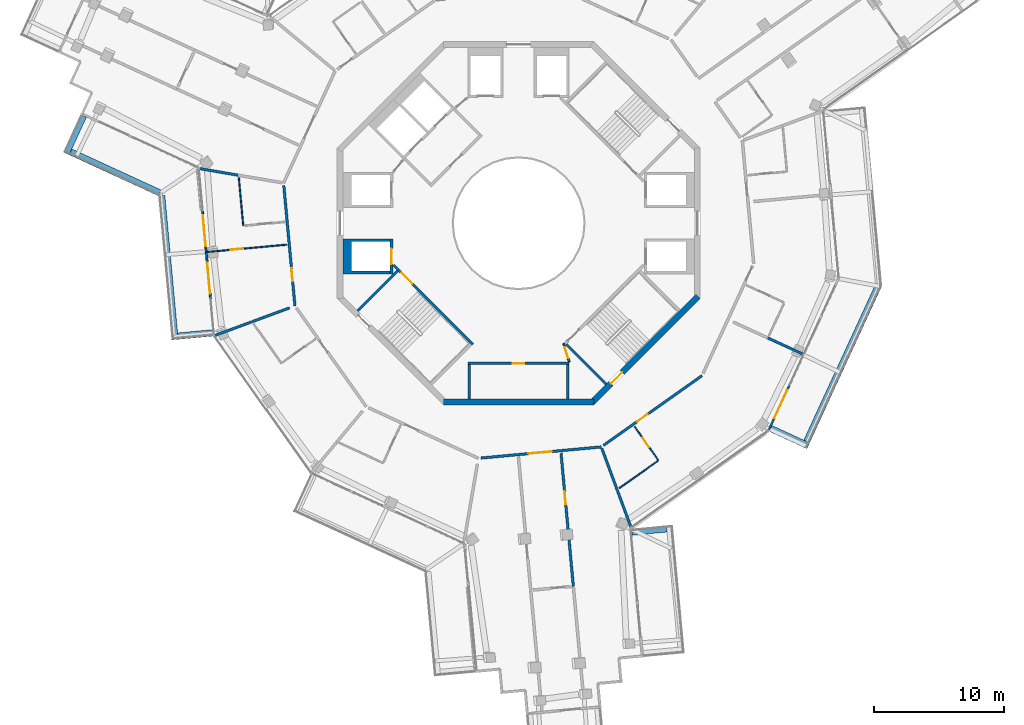
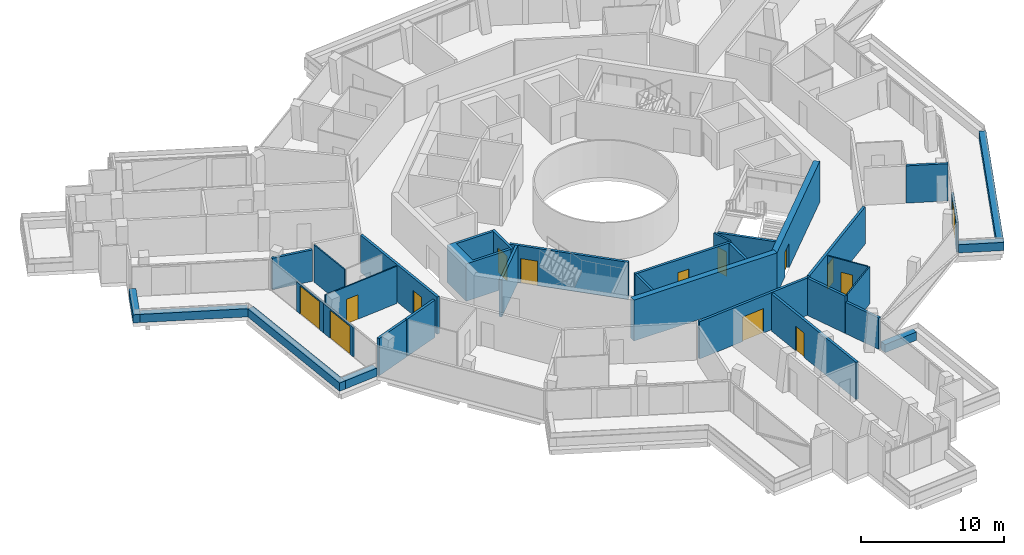
# One storey, part 18 of 25: 35 walls, 14 doors, 14 openings.
"""IFC4 building model written with IfcOpenShell, lengths in metres."""

from ifc_helpers import new_model, si_unit, direction, frame, frame_2d, origin, place, context, subcontext, project, spatial, polyline, rectangle, outline, extrude, material, layer, layer_set, type_object, element, fill, save


model = new_model("IFC4")

# Units and contexts
model_context = context("Model", 3, precision=1e-05, world=origin(), true_north=direction((0.0, 1.0)))
body_context = subcontext(model_context, "Body", "Model", "MODEL_VIEW")
ifc_project = project(units=[si_unit("LENGTHUNIT", "METRE"), si_unit("AREAUNIT", "SQUARE_METRE"), si_unit("VOLUMEUNIT", "CUBIC_METRE"), si_unit("PLANEANGLEUNIT", "RADIAN"), si_unit("MASSUNIT", "GRAM", prefix="KILO")], contexts=[model_context])

# Site, building, storey
site_placement = place(None, origin())
site = spatial("IfcSite", under=ifc_project, at=site_placement, CompositionType="ELEMENT")
building_placement = place(site_placement, origin())
building = spatial("IfcBuilding", under=site, at=building_placement, Name="Verdalira Terraces Hotel", CompositionType="ELEMENT")
storey_placement = place(building_placement, frame((0.0, 0.0, 299.5)))
storey = spatial("IfcBuildingStorey", under=building, at=storey_placement, Name="L74", CompositionType="ELEMENT", Elevation=299.5)

# Walls
ifc_material_1 = material(Name="Concrete C40", Category="concrete")
ifc_layer_1 = layer(ifc_material_1, 0.5)
ifc_layer_set_1 = layer_set([ifc_layer_1], Name="Balcony planter trough with tree")
wall_type_1 = type_object("IfcWallType", Name="Balcony planter trough with tree", PredefinedType="SOLIDWALL", material=ifc_layer_set_1)
wall_1_placement = place(storey_placement, frame((-33.542725, 8.2854, 0.0), z_axis=(0.0, 0.0, 1.0), x_axis=(-0.41819658, -0.908356549, 0.0)))
element("IfcWall", 1, at=wall_1_placement, inside=storey, type_object=wall_type_1, Name="Balcony planter", PredefinedType="SOLIDWALL", context=body_context, shape_type="SweptSolid", body=[
    extrude(rectangle(XDim=3.199219, YDim=0.5, at=frame_2d((1.599609, 0.0))), origin(), (0.0, 0.0, 1.0), 0.699951),
])
wall_2_placement = place(storey_placement, frame((-34.548828, 5.501953, 0.0), z_axis=(0.0, 0.0, 1.0), x_axis=(0.908358791, -0.418191711, 0.0)))
element("IfcWall", 2, at=wall_2_placement, inside=storey, type_object=wall_type_1, Name="Balcony planter", PredefinedType="SOLIDWALL", context=body_context, shape_type="SweptSolid", body=[
    extrude(rectangle(XDim=7.577637, YDim=0.5, at=frame_2d((3.788818, 0.0))), origin(), (0.0, 0.0, 1.0), 0.699951),
])
wall_3_placement = place(storey_placement, frame((-27.520996, 2.128906, 0.0), z_axis=(0.0, 0.0, 1.0), x_axis=(0.092029795, -0.995756254, 0.0)))
element("IfcWall", 3, at=wall_3_placement, inside=storey, type_object=wall_type_1, Name="Balcony planter", PredefinedType="SOLIDWALL", context=body_context, shape_type="SweptSolid", body=[
    extrude(rectangle(XDim=11.152588, YDim=0.5, at=frame_2d((5.576172, 0.0))), origin(), (0.0, 0.0, 1.0), 0.699951),
])
for number, where, z_axis, x_axis, name in (
    (4, (-26.268799, -8.704346, 0.0), (0.0, 0.0, 1.0), (0.995751125, 0.092085269, 0.0), "Balcony planter"),
    (5, (11.41626, -23.557617, 0.0), (0.0, 0.0, 1.0), (-0.995751125, -0.092085269, 0.0), "Balcony planter"),
):
    element("IfcWall", number, at=place(storey_placement, frame(where, z_axis=z_axis, x_axis=x_axis)), inside=storey, type_object=wall_type_1, Name=name, PredefinedType="SOLIDWALL", context=body_context, shape_type="SweptSolid", body=[
        extrude(rectangle(XDim=2.698975, YDim=0.5, at=frame_2d((1.349609, 0.0))), origin(), (0.0, 0.0, 1.0), 0.699951),
    ])
wall_4_placement = place(storey_placement, frame((19.422607, -15.822021, 0.0), z_axis=(0.0, 0.0, 1.0), x_axis=(0.908343202, -0.418225571, 0.0)))
element("IfcWall", 6, at=wall_4_placement, inside=storey, type_object=wall_type_1, Name="Balcony planter", PredefinedType="SOLIDWALL", context=body_context, shape_type="SweptSolid", body=[
    extrude(rectangle(XDim=3.198975, YDim=0.5, at=frame_2d((1.599609, 0.0))), origin(), (0.0, 0.0, 1.0), 0.699951),
])
wall_5_placement = place(storey_placement, frame((22.205811, -16.828369, 0.0), z_axis=(0.0, 0.0, 1.0), x_axis=(0.418195112, 0.908357225, 0.0)))
element("IfcWall", 7, at=wall_5_placement, inside=storey, type_object=wall_type_1, Name="Balcony planter", PredefinedType="SOLIDWALL", context=body_context, shape_type="SweptSolid", body=[
    extrude(rectangle(XDim=13.223633, YDim=0.5, at=frame_2d((6.611816, 0.0))), origin(), (0.0, 0.0, 1.0), 0.699951),
])
ifc_material_2 = material(Name="Moisture-resistant gypsum board partition")
ifc_layer_2 = layer(ifc_material_2, 0.10009765625)
ifc_layer_set_2 = layer_set([ifc_layer_2], Name="Bathroom partition 100 mm")
wall_type_2 = type_object("IfcWallType", Name="Bathroom partition 100 mm", PredefinedType="PARTITIONING", material=ifc_layer_set_2)
wall_6_placement = place(storey_placement, frame((-21.571289, 3.492188, 0.0), z_axis=(0.0, 0.0, 1.0), x_axis=(0.092009423, -0.995758136, 0.0)))
element("IfcWall", 8, at=wall_6_placement, inside=storey, type_object=wall_type_2, Name="Bathroom partition", PredefinedType="PARTITIONING", context=body_context, shape_type="SweptSolid", body=[
    extrude(rectangle(XDim=3.704102, YDim=0.100098, at=frame_2d((1.852051, 0.0))), origin(), (0.0, 0.0, 1.0), 3.189941),
])

# Wall, opening, door
wall_7_placement = place(storey_placement, frame((-24.006104, -2.218506, 0.0), z_axis=(0.0, 0.0, 1.0), x_axis=(0.995757395, 0.092017447, 0.0)))
wall_7 = element("IfcWall", 9, at=wall_7_placement, inside=storey, type_object=wall_type_2, Name="Bathroom partition", PredefinedType="PARTITIONING", context=body_context, shape_type="SweptSolid", body=[
    extrude(rectangle(XDim=6.150146, YDim=0.100098, at=frame_2d((3.075195, 0.0))), origin(), (0.0, 0.0, 1.0), 3.189941),
])
opening_1_placement = place(wall_7_placement, frame((1.800049, 0.0, 0.0)))
opening_1 = element("IfcOpeningElement", 10, at=opening_1_placement, cuts=wall_7, Name="Opening L74-106", PredefinedType="OPENING", context=body_context, shape_type="SweptSolid", body=[
    extrude(rectangle(XDim=1.0, YDim=2.100098, at=frame_2d((0.5, 1.050049))), frame((0.0, 0.060059, 0.0), z_axis=(0.0, -1.0, 0.0), x_axis=(1.0, 0.0, 0.0)), (0.0, 0.0, 1.0), 0.120117),
])
ifc_material_3 = material(Name="Timber door", Category="wood")
door_type_1 = type_object("IfcDoorType", Name="Suite internal door 1000 x 2100", OperationType="NOTDEFINED", PredefinedType="DOOR", material=ifc_material_3)
door_1_placement = place(opening_1_placement, origin())
door_1 = element("IfcDoor", 11, at=door_1_placement, inside=storey, type_object=door_type_1, Name="Suite internal door 7402", OperationType="SINGLE_SWING_LEFT", OverallHeight=2.10009765625, OverallWidth=1.0, PredefinedType="DOOR", context=body_context, shape_type="SweptSolid", body=[
    extrude(rectangle(XDim=1.0, YDim=2.100098, at=frame_2d((0.5, 1.050049))), frame((0.0, 0.024902, 0.0), z_axis=(0.0, -1.0, 0.0), x_axis=(1.0, 0.0, 0.0)), (0.0, 0.0, 1.0), 0.050049),
])
fill(opening_1, door_1)

# Wall
wall_8_placement = place(storey_placement, frame((10.785156, -18.287842, 0.0), z_axis=(0.0, 0.0, 1.0), x_axis=(-0.816326196, -0.577591155, 0.0)))
element("IfcWall", 12, at=wall_8_placement, inside=storey, type_object=wall_type_2, Name="Bathroom partition", PredefinedType="PARTITIONING", context=body_context, shape_type="SweptSolid", body=[
    extrude(rectangle(XDim=3.704102, YDim=0.100098, at=frame_2d((1.852051, 0.0))), origin(), (0.0, 0.0, 1.0), 3.189941),
])

# Wall, opening, door
wall_9_placement = place(storey_placement, frame((10.727295, -18.206299, 0.0), z_axis=(0.0, 0.0, 1.0), x_axis=(-0.57760427, 0.816316916, 0.0)))
wall_9 = element("IfcWall", 13, at=wall_9_placement, inside=storey, type_object=wall_type_2, Name="Bathroom partition", PredefinedType="PARTITIONING", context=body_context, shape_type="SweptSolid", body=[
    extrude(rectangle(XDim=3.099854, YDim=0.100098, at=frame_2d((1.549805, 0.0))), origin(), (0.0, 0.0, 1.0), 3.189941),
])
opening_2_placement = place(wall_9_placement, frame((1.149902, 0.0, 0.0)))
opening_2 = element("IfcOpeningElement", 14, at=opening_2_placement, cuts=wall_9, Name="Opening L74-117", PredefinedType="OPENING", context=body_context, shape_type="SweptSolid", body=[
    extrude(rectangle(XDim=0.899902, YDim=2.100098, at=frame_2d((0.449951, 1.050049))), frame((0.0, 0.060059, 0.0), z_axis=(0.0, -1.0, 0.0), x_axis=(1.0, 0.0, 0.0)), (0.0, 0.0, 1.0), 0.120117),
])
ifc_material_4 = material(Name="Timber door", Category="wood")
door_type_2 = type_object("IfcDoorType", Name="Bathroom door 900 x 2100", OperationType="NOTDEFINED", PredefinedType="DOOR", material=ifc_material_4)
door_2_placement = place(opening_2_placement, origin())
door_2 = element("IfcDoor", 15, at=door_2_placement, inside=storey, type_object=door_type_2, Name="Bathroom door 7406", OperationType="SINGLE_SWING_LEFT", OverallHeight=2.10009765625, OverallWidth=0.89990234375, PredefinedType="DOOR", context=body_context, shape_type="SweptSolid", body=[
    extrude(rectangle(XDim=0.899902, YDim=2.100098, at=frame_2d((0.449951, 1.050049))), frame((0.0, 0.024902, 0.0), z_axis=(0.0, -1.0, 0.0), x_axis=(1.0, 0.0, 0.0)), (0.0, 0.0, 1.0), 0.050049),
])
fill(opening_2, door_2)

# Wall
ifc_material_5 = material(Name="Concrete C50", Category="concrete")
ifc_layer_3 = layer(ifc_material_5, 0.199951171875)
ifc_layer_set_3 = layer_set([ifc_layer_3], Name="Core RC wall 200 C50")
wall_type_3 = type_object("IfcWallType", Name="Core RC wall 200 C50", PredefinedType="SOLIDWALL", material=ifc_layer_set_3)
wall_10_placement = place(storey_placement, origin())
element("IfcWall", 16, at=wall_10_placement, inside=storey, type_object=wall_type_3, Name="L74 shaft wall W2", PredefinedType="SOLIDWALL", context=body_context, shape_type="SweptSolid", body=[
    extrude(outline(polyline([(-13.550049, -3.899902), (-13.550049, -1.199951), (-9.899902, -1.199951), (-9.899902, -1.399902), (-12.899902, -1.399902), (-12.899902, -3.699951), (-9.899902, -3.699951), (-9.899902, -3.899902), (-13.550049, -3.899902)])), origin(), (0.0, 0.0, 1.0), 3.189941),
])

# Wall, opening, door
wall_11_placement = place(storey_placement, frame((-9.800049, -1.199951, 0.0), z_axis=(0.0, 0.0, 1.0), x_axis=(0.0, -1.0, 0.0)))
wall_11 = element("IfcWall", 17, at=wall_11_placement, inside=storey, type_object=wall_type_3, Name="L74 shaft front wall W2", PredefinedType="SOLIDWALL", context=body_context, shape_type="SweptSolid", body=[
    extrude(rectangle(XDim=2.699951, YDim=0.199951, at=frame_2d((1.350098, 0.0))), origin(), (0.0, 0.0, 1.0), 3.189941),
])
opening_3_placement = place(wall_11_placement, frame((0.75, 0.0, 0.0)))
opening_3 = element("IfcOpeningElement", 18, at=opening_3_placement, cuts=wall_11, Name="Opening LD-L74-807", PredefinedType="OPENING", context=body_context, shape_type="SweptSolid", body=[
    extrude(rectangle(XDim=1.199951, YDim=2.100098, at=frame_2d((0.600098, 1.050049))), frame((0.0, 0.109863, 0.0), z_axis=(0.0, -1.0, 0.0), x_axis=(1.0, 0.0, 0.0)), (0.0, 0.0, 1.0), 0.219971),
])
ifc_material_6 = material(Name="Stainless steel", Category="steel")
door_type_3 = type_object("IfcDoorType", Name="Landing door 1200 x 2100", OperationType="NOTDEFINED", PredefinedType="DOOR", material=ifc_material_6)
door_3_placement = place(opening_3_placement, origin())
door_3 = element("IfcDoor", 19, at=door_3_placement, inside=storey, type_object=door_type_3, Name="Lift landing door HR6 L74", OperationType="DOUBLE_DOOR_SLIDING", OverallHeight=2.10009765625, OverallWidth=1.199951171875, PredefinedType="DOOR", context=body_context, shape_type="SweptSolid", body=[
    extrude(rectangle(XDim=1.199951, YDim=2.100098, at=frame_2d((0.600098, 1.050049))), frame((0.0, 0.024902, 0.0), z_axis=(0.0, -1.0, 0.0), x_axis=(1.0, 0.0, 0.0)), (0.0, 0.0, 1.0), 0.050049),
])
fill(opening_3, door_3)

wall_12_placement = place(storey_placement, frame((-3.899902, -10.800049, 0.0), z_axis=(0.0, 0.0, 1.0), x_axis=(1.0, 0.0, 0.0)))
wall_12 = element("IfcWall", 20, at=wall_12_placement, inside=storey, type_object=wall_type_3, Name="L74 store front wall", PredefinedType="SOLIDWALL", context=body_context, shape_type="SweptSolid", body=[
    extrude(rectangle(XDim=7.799805, YDim=0.199951, at=frame_2d((3.899902, 0.0))), origin(), (0.0, 0.0, 1.0), 3.189941),
])
opening_4_placement = place(wall_12_placement, frame((3.449951, 0.0, 0.0)))
opening_4 = element("IfcOpeningElement", 21, at=opening_4_placement, cuts=wall_12, Name="Opening L74-801", PredefinedType="OPENING", context=body_context, shape_type="SweptSolid", body=[
    extrude(rectangle(XDim=0.899902, YDim=2.100098, at=frame_2d((0.449951, 1.050049))), frame((0.0, 0.109863, 0.0), z_axis=(0.0, -1.0, 0.0), x_axis=(1.0, 0.0, 0.0)), (0.0, 0.0, 1.0), 0.219971),
])
ifc_material_7 = material(Name="Steel fire door", Category="steel")
door_type_4 = type_object("IfcDoorType", Name="Core room door 900 x 2100", OperationType="NOTDEFINED", PredefinedType="DOOR", material=ifc_material_7)
door_4_placement = place(opening_4_placement, origin())
door_4 = element("IfcDoor", 22, at=door_4_placement, inside=storey, type_object=door_type_4, Name="Store door L74 SS", OperationType="SINGLE_SWING_LEFT", OverallHeight=2.10009765625, OverallWidth=0.89990234375, PredefinedType="DOOR", context=body_context, shape_type="SweptSolid", body=[
    extrude(rectangle(XDim=0.899902, YDim=2.100098, at=frame_2d((0.449951, 1.050049))), frame((0.0, 0.024902, 0.0), z_axis=(0.0, -1.0, 0.0), x_axis=(1.0, 0.0, 0.0)), (0.0, 0.0, 1.0), 0.050049),
])
fill(opening_4, door_4)

# Walls
for number, where, z_axis, x_axis, name in (
    (23, (-3.800049, -10.899902, 0.0), (0.0, 0.0, 1.0), (0.0, -1.0, 0.0), "L74 store side wall"),
    (24, (3.800049, -10.899902, 0.0), (0.0, 0.0, 1.0), (0.0, -1.0, 0.0), "L74 store side wall"),
):
    element("IfcWall", number, at=place(storey_placement, frame(where, z_axis=z_axis, x_axis=x_axis)), inside=storey, type_object=wall_type_3, Name=name, PredefinedType="SOLIDWALL", context=body_context, shape_type="SweptSolid", body=[
        extrude(rectangle(XDim=2.650146, YDim=0.199951, at=frame_2d((1.325195, 0.0))), origin(), (0.0, 0.0, 1.0), 3.189941),
    ])

# Wall, opening, door
wall_13_placement = place(storey_placement, frame((-3.5354, -9.33374, 0.0), z_axis=(0.0, 0.0, 1.0), x_axis=(-0.707120946, 0.707092617, 0.0)))
wall_13 = element("IfcWall", 25, at=wall_13_placement, inside=storey, type_object=wall_type_3, Name="L74 stair ST2 front wall", PredefinedType="SOLIDWALL", context=body_context, shape_type="SweptSolid", body=[
    extrude(rectangle(XDim=8.61792, YDim=0.199951, at=frame_2d((4.309082, 0.0))), origin(), (0.0, 0.0, 1.0), 3.189941),
])
opening_5_placement = place(wall_13_placement, frame((6.600098, 0.0, 0.0)))
opening_5 = element("IfcOpeningElement", 26, at=opening_5_placement, cuts=wall_13, Name="Opening L74-811", PredefinedType="OPENING", context=body_context, shape_type="SweptSolid", body=[
    extrude(rectangle(XDim=1.199951, YDim=2.100098, at=frame_2d((0.600098, 1.050049))), frame((0.0, 0.109863, 0.0), z_axis=(0.0, -1.0, 0.0), x_axis=(1.0, 0.0, 0.0)), (0.0, 0.0, 1.0), 0.219971),
])
ifc_material_8 = material(Name="Steel fire door", Category="steel")
door_type_5 = type_object("IfcDoorType", Name="Stair door 1200 x 2100", OperationType="NOTDEFINED", PredefinedType="DOOR", material=ifc_material_8)
door_5_placement = place(opening_5_placement, origin())
door_5 = element("IfcDoor", 27, at=door_5_placement, inside=storey, type_object=door_type_5, Name="Stair door ST2 L74", OperationType="SINGLE_SWING_RIGHT", OverallHeight=2.10009765625, OverallWidth=1.199951171875, PredefinedType="DOOR", context=body_context, shape_type="SweptSolid", body=[
    extrude(rectangle(XDim=1.199951, YDim=2.100098, at=frame_2d((0.600098, 1.050049))), frame((0.0, 0.024902, 0.0), z_axis=(0.0, -1.0, 0.0), x_axis=(1.0, 0.0, 0.0)), (0.0, 0.0, 1.0), 0.050049),
])
fill(opening_5, door_5)

# Walls
for number, where, z_axis, x_axis, name in (
    (28, (-9.33374, -3.677002, 0.0), (0.0, 0.0, 1.0), (-0.707106781, -0.707106781, 0.0), "L74 stair ST2 end wall 1"),
    (29, (3.677002, -9.33374, 0.0), (0.0, 0.0, 1.0), (0.707106781, -0.707106781, 0.0), "L74 stair ST3 end wall 1"),
):
    element("IfcWall", number, at=place(storey_placement, frame(where, z_axis=z_axis, x_axis=x_axis)), inside=storey, type_object=wall_type_3, Name=name, PredefinedType="SOLIDWALL", context=body_context, shape_type="SweptSolid", body=[
        extrude(rectangle(XDim=4.350098, YDim=0.199951, at=frame_2d((2.175049, 0.0))), origin(), (0.0, 0.0, 1.0), 3.189941),
    ])

# Wall, opening, door
ifc_material_9 = material(Name="Gypsum board partition")
ifc_layer_4 = layer(ifc_material_9, 0.14990234375)
ifc_layer_set_4 = layer_set([ifc_layer_4], Name="Core partition 150 mm")
wall_type_4 = type_object("IfcWallType", Name="Core partition 150 mm", PredefinedType="PARTITIONING", material=ifc_layer_set_4)
wall_14_placement = place(storey_placement, frame((3.899902, -10.699951, 0.0), z_axis=(0.0, 0.0, 1.0), x_axis=(-0.289808785, 0.957084567, 0.0)))
wall_14 = element("IfcWall", 30, at=wall_14_placement, inside=storey, type_object=wall_type_4, Name="Room partition L74", PredefinedType="PARTITIONING", context=body_context, shape_type="SweptSolid", body=[
    extrude(rectangle(XDim=1.501221, YDim=0.149902, at=frame_2d((0.750488, 0.0))), origin(), (0.0, 0.0, 1.0), 3.189941),
])
opening_6_placement = place(wall_14_placement, frame((0.300781, 0.0, 0.0)))
opening_6 = element("IfcOpeningElement", 31, at=opening_6_placement, cuts=wall_14, Name="Opening L74-822", PredefinedType="OPENING", context=body_context, shape_type="SweptSolid", body=[
    extrude(rectangle(XDim=0.899902, YDim=2.100098, at=frame_2d((0.449951, 1.050049))), frame((0.0, 0.084961, 0.0), z_axis=(0.0, -1.0, 0.0), x_axis=(1.0, 0.0, 0.0)), (0.0, 0.0, 1.0), 0.169922),
])
door_6_placement = place(opening_6_placement, origin())
door_6 = element("IfcDoor", 32, at=door_6_placement, inside=storey, type_object=door_type_4, Name="Door L74 room6", OperationType="SINGLE_SWING_LEFT", OverallHeight=2.10009765625, OverallWidth=0.89990234375, PredefinedType="DOOR", context=body_context, shape_type="SweptSolid", body=[
    extrude(rectangle(XDim=0.899902, YDim=2.100098, at=frame_2d((0.449951, 1.050049))), frame((0.0, 0.024902, 0.0), z_axis=(0.0, -1.0, 0.0), x_axis=(1.0, 0.0, 0.0)), (0.0, 0.0, 1.0), 0.050049),
])
fill(opening_6, door_6)

# Wall
ifc_material_10 = material(Name="Concrete C50", Category="concrete")
ifc_layer_5 = layer(ifc_material_10, 0.449951171875)
ifc_layer_set_5 = layer_set([ifc_layer_5], Name="Core wall 450 C50")
wall_type_5 = type_object("IfcWallType", Name="Core wall 450 C50", PredefinedType="SHEAR", material=ifc_layer_set_5)
wall_15_placement = place(storey_placement, frame((-5.799072, -13.774902, 0.0), z_axis=(0.0, 0.0, 1.0), x_axis=(1.0, 0.0, 0.0)))
element("IfcWall", 33, at=wall_15_placement, inside=storey, type_object=wall_type_5, Name="Core wall CW-L74-7", PredefinedType="SHEAR", context=body_context, shape_type="SweptSolid", body=[
    extrude(rectangle(XDim=11.598145, YDim=0.449951, at=frame_2d((5.799072, 0.0))), origin(), (0.0, 0.0, 1.0), 3.5),
])

# Wall, opening, door
wall_16_placement = place(storey_placement, frame((5.639893, -13.84082, 0.0), z_axis=(0.0, 0.0, 1.0), x_axis=(0.707106781, 0.707106781, 0.0)))
wall_16 = element("IfcWall", 34, at=wall_16_placement, inside=storey, type_object=wall_type_5, Name="Core wall CW-L74-8", PredefinedType="SHEAR", context=body_context, shape_type="SweptSolid", body=[
    extrude(rectangle(XDim=11.5979, YDim=0.449951, at=frame_2d((5.798828, 0.0))), origin(), (0.0, 0.0, 1.0), 3.5),
])
opening_7_placement = place(wall_16_placement, frame((2.099121, 0.0, 0.0)))
opening_7 = element("IfcOpeningElement", 35, at=opening_7_placement, cuts=wall_16, Name="Opening L74-818", PredefinedType="OPENING", context=body_context, shape_type="SweptSolid", body=[
    extrude(rectangle(XDim=1.199951, YDim=2.100098, at=frame_2d((0.600098, 1.050049))), frame((0.0, 0.234863, 0.0), z_axis=(0.0, -1.0, 0.0), x_axis=(1.0, 0.0, 0.0)), (0.0, 0.0, 1.0), 0.469971),
])
door_7_placement = place(opening_7_placement, origin())
door_7 = element("IfcDoor", 36, at=door_7_placement, inside=storey, type_object=door_type_5, Name="Stair exit door ST3 L74", OperationType="SINGLE_SWING_LEFT", OverallHeight=2.10009765625, OverallWidth=1.199951171875, PredefinedType="DOOR", context=body_context, shape_type="SweptSolid", body=[
    extrude(rectangle(XDim=1.199951, YDim=2.100098, at=frame_2d((0.600098, 1.050049))), frame((0.0, 0.024902, 0.0), z_axis=(0.0, -1.0, 0.0), x_axis=(1.0, 0.0, 0.0)), (0.0, 0.0, 1.0), 0.050049),
])
fill(opening_7, door_7)

# Walls
ifc_material_11 = material(Name="Fire-rated gypsum board wall")
ifc_layer_6 = layer(ifc_material_11, 0.199951171875)
ifc_layer_set_6 = layer_set([ifc_layer_6], Name="Demising wall 200 mm")
wall_type_6 = type_object("IfcWallType", Name="Demising wall 200 mm", PredefinedType="SOLIDWALL", material=ifc_layer_set_6)
wall_17_placement = place(storey_placement, frame((-20.591797, -7.608887, 0.0), z_axis=(0.0, 0.0, 1.0), x_axis=(-0.93799106, -0.346659445, 0.0)))
element("IfcWall", 37, at=wall_17_placement, inside=storey, type_object=wall_type_6, Name="Demising wall", PredefinedType="SOLIDWALL", context=body_context, shape_type="SweptSolid", body=[
    extrude(rectangle(XDim=3.011475, YDim=0.199951, at=frame_2d((1.505859, 0.0))), origin(), (0.0, 0.0, 1.0), 3.189941),
])
wall_18_placement = place(storey_placement, frame((-17.664551, -6.527344, 0.0), z_axis=(0.0, 0.0, 1.0), x_axis=(-0.938011897, -0.346603059, 0.0)))
element("IfcWall", 38, at=wall_18_placement, inside=storey, type_object=wall_type_6, Name="Demising wall", PredefinedType="SOLIDWALL", context=body_context, shape_type="SweptSolid", body=[
    extrude(rectangle(XDim=3.074707, YDim=0.199951, at=frame_2d((1.537354, 0.0))), origin(), (0.0, 0.0, 1.0), 3.189941),
])

# Wall, opening, door
wall_19_placement = place(storey_placement, frame((3.269287, -17.732666, 0.0), z_axis=(0.0, 0.0, 1.0), x_axis=(0.092020677, -0.995757096, 0.0)))
wall_19 = element("IfcWall", 39, at=wall_19_placement, inside=storey, type_object=wall_type_6, Name="Demising wall", PredefinedType="SOLIDWALL", context=body_context, shape_type="SweptSolid", body=[
    extrude(rectangle(XDim=10.302002, YDim=0.199951, at=frame_2d((5.150879, 0.0))), origin(), (0.0, 0.0, 1.0), 3.189941),
])
opening_8_placement = place(wall_19_placement, frame((2.949951, 0.0, 0.0)))
opening_8 = element("IfcOpeningElement", 40, at=opening_8_placement, cuts=wall_19, Name="Opening L74-114", PredefinedType="OPENING", context=body_context, shape_type="SweptSolid", body=[
    extrude(rectangle(XDim=1.0, YDim=2.100098, at=frame_2d((0.5, 1.050049))), frame((0.0, 0.109863, 0.0), z_axis=(0.0, -1.0, 0.0), x_axis=(1.0, 0.0, 0.0)), (0.0, 0.0, 1.0), 0.219971),
])
ifc_material_12 = material(Name="Timber fire door", Category="wood")
door_type_6 = type_object("IfcDoorType", Name="Public room door 1000 x 2100", OperationType="NOTDEFINED", PredefinedType="DOOR", material=ifc_material_12)
door_8_placement = place(opening_8_placement, origin())
door_8 = element("IfcDoor", 41, at=door_8_placement, inside=storey, type_object=door_type_6, Name="Public room door 7405", OperationType="SINGLE_SWING_LEFT", OverallHeight=2.10009765625, OverallWidth=1.0, PredefinedType="DOOR", context=body_context, shape_type="SweptSolid", body=[
    extrude(rectangle(XDim=1.0, YDim=2.100098, at=frame_2d((0.5, 1.050049))), frame((0.0, 0.024902, 0.0), z_axis=(0.0, -1.0, 0.0), x_axis=(1.0, 0.0, 0.0)), (0.0, 0.0, 1.0), 0.050049),
])
fill(opening_8, door_8)

# Walls
wall_20_placement = place(storey_placement, frame((6.408203, -17.342285, 0.0), z_axis=(0.0, 0.0, 1.0), x_axis=(0.34661872, -0.93800611, 0.0)))
element("IfcWall", 42, at=wall_20_placement, inside=storey, type_object=wall_type_6, Name="Demising wall", PredefinedType="SOLIDWALL", context=body_context, shape_type="SweptSolid", body=[
    extrude(rectangle(XDim=3.418213, YDim=0.199951, at=frame_2d((1.708984, 0.0))), origin(), (0.0, 0.0, 1.0), 3.189941),
])
wall_21_placement = place(storey_placement, frame((19.217529, -8.847168, 0.0), z_axis=(0.0, 0.0, 1.0), x_axis=(0.908353512, -0.418203178, 0.0)))
element("IfcWall", 43, at=wall_21_placement, inside=storey, type_object=wall_type_6, Name="Demising wall", PredefinedType="SOLIDWALL", context=body_context, shape_type="SweptSolid", body=[
    extrude(rectangle(XDim=2.952148, YDim=0.199951, at=frame_2d((1.476074, 0.0))), origin(), (0.0, 0.0, 1.0), 3.189941),
])
ifc_material_13 = material(Name="Fire-rated gypsum board wall")
ifc_layer_7 = layer(ifc_material_13, 0.199951171875)
ifc_layer_set_7 = layer_set([ifc_layer_7], Name="Demising wall 200 mm to beam soffit")
wall_type_7 = type_object("IfcWallType", Name="Demising wall 200 mm to beam soffit", PredefinedType="SOLIDWALL", material=ifc_layer_set_7)
for number, where, z_axis, x_axis, name in (
    (44, (-21.637451, 3.706299, 0.0), (0.0, 0.0, 1.0), (-0.985638837, 0.168867058, 0.0), "Demising wall"),
    (45, (7.608887, -20.591797, 0.0), (0.0, 0.0, 1.0), (0.346659445, -0.93799106, 0.0), "Demising wall"),
):
    element("IfcWall", number, at=place(storey_placement, frame(where, z_axis=z_axis, x_axis=x_axis)), inside=storey, type_object=wall_type_7, Name=name, PredefinedType="SOLIDWALL", context=body_context, shape_type="SweptSolid", body=[
        extrude(rectangle(XDim=3.011475, YDim=0.199951, at=frame_2d((1.505859, 0.0))), origin(), (0.0, 0.0, 1.0), 2.689941),
    ])

# Wall, opening, door
ifc_material_14 = material(Name="Fire-rated gypsum board wall")
ifc_layer_8 = layer(ifc_material_14, 0.199951171875)
ifc_layer_set_8 = layer_set([ifc_layer_8], Name="Guest corridor wall 200 mm")
wall_type_8 = type_object("IfcWallType", Name="Guest corridor wall 200 mm", PredefinedType="SOLIDWALL", material=ifc_layer_set_8)
wall_22_placement = place(storey_placement, frame((-17.245117, -6.372314, 0.0), z_axis=(0.0, 0.0, 1.0), x_axis=(-0.092031251, 0.995756119, 0.0)))
wall_22 = element("IfcWall", 46, at=wall_22_placement, inside=storey, type_object=wall_type_8, Name="Guest corridor wall", PredefinedType="SOLIDWALL", context=body_context, shape_type="SweptSolid", body=[
    extrude(rectangle(XDim=9.31665, YDim=0.199951, at=frame_2d((4.658203, 0.0))), origin(), (0.0, 0.0, 1.0), 3.189941),
])
opening_9_placement = place(wall_22_placement, frame((1.899902, 0.0, 0.0)))
opening_9 = element("IfcOpeningElement", 47, at=opening_9_placement, cuts=wall_22, Name="Opening L74-105", PredefinedType="OPENING", context=body_context, shape_type="SweptSolid", body=[
    extrude(rectangle(XDim=1.0, YDim=2.100098, at=frame_2d((0.5, 1.050049))), frame((0.0, 0.109863, 0.0), z_axis=(0.0, -1.0, 0.0), x_axis=(1.0, 0.0, 0.0)), (0.0, 0.0, 1.0), 0.219971),
])
ifc_material_15 = material(Name="Timber fire door", Category="wood")
door_type_7 = type_object("IfcDoorType", Name="Guest entry door 1000 x 2100", OperationType="NOTDEFINED", PredefinedType="DOOR", material=ifc_material_15)
door_9_placement = place(opening_9_placement, origin())
door_9 = element("IfcDoor", 48, at=door_9_placement, inside=storey, type_object=door_type_7, Name="Guest entry door 7402", OperationType="SINGLE_SWING_LEFT", OverallHeight=2.10009765625, OverallWidth=1.0, PredefinedType="DOOR", context=body_context, shape_type="SweptSolid", body=[
    extrude(rectangle(XDim=1.0, YDim=2.100098, at=frame_2d((0.5, 1.050049))), frame((0.0, 0.024902, 0.0), z_axis=(0.0, -1.0, 0.0), x_axis=(1.0, 0.0, 0.0)), (0.0, 0.0, 1.0), 0.050049),
])
fill(opening_9, door_9)

wall_23_placement = place(storey_placement, frame((6.372314, -17.245117, 0.0), z_axis=(0.0, 0.0, 1.0), x_axis=(-0.995756119, -0.092031251, 0.0)))
wall_23 = element("IfcWall", 49, at=wall_23_placement, inside=storey, type_object=wall_type_8, Name="Guest corridor wall", PredefinedType="SOLIDWALL", context=body_context, shape_type="SweptSolid", body=[
    extrude(rectangle(XDim=9.31665, YDim=0.199951, at=frame_2d((4.658203, 0.0))), origin(), (0.0, 0.0, 1.0), 3.189941),
])
opening_10_placement = place(wall_23_placement, frame((3.834961, 0.0, 0.0)))
opening_10 = element("IfcOpeningElement", 50, at=opening_10_placement, cuts=wall_23, Name="Opening L74-112", PredefinedType="OPENING", context=body_context, shape_type="SweptSolid", body=[
    extrude(rectangle(XDim=1.800049, YDim=2.100098, at=frame_2d((0.899902, 1.050049))), frame((0.0, 0.109863, 0.0), z_axis=(0.0, -1.0, 0.0), x_axis=(1.0, 0.0, 0.0)), (0.0, 0.0, 1.0), 0.219971),
])
ifc_material_16 = material(Name="Timber fire door", Category="wood")
door_type_8 = type_object("IfcDoorType", Name="Public room double door 1800 x 2100", OperationType="NOTDEFINED", PredefinedType="DOOR", material=ifc_material_16)
door_10_placement = place(opening_10_placement, origin())
door_10 = element("IfcDoor", 51, at=door_10_placement, inside=storey, type_object=door_type_8, Name="Public room double door 7405", OperationType="DOUBLE_DOOR_SINGLE_SWING", OverallHeight=2.10009765625, OverallWidth=1.800048828125, PredefinedType="DOOR", context=body_context, shape_type="SweptSolid", body=[
    extrude(rectangle(XDim=1.800049, YDim=2.100098, at=frame_2d((0.899902, 1.050049))), frame((0.0, 0.024902, 0.0), z_axis=(0.0, -1.0, 0.0), x_axis=(1.0, 0.0, 0.0)), (0.0, 0.0, 1.0), 0.050049),
])
fill(opening_10, door_10)

wall_24_placement = place(storey_placement, frame((14.140625, -11.748779, 0.0), z_axis=(0.0, 0.0, 1.0), x_axis=(-0.816328241, -0.577588264, 0.0)))
wall_24 = element("IfcWall", 52, at=wall_24_placement, inside=storey, type_object=wall_type_8, Name="Guest corridor wall", PredefinedType="SOLIDWALL", context=body_context, shape_type="SweptSolid", body=[
    extrude(rectangle(XDim=9.316162, YDim=0.199951, at=frame_2d((4.658203, 0.0))), origin(), (0.0, 0.0, 1.0), 3.189941),
])
opening_11_placement = place(wall_24_placement, frame((5.149902, 0.0, 0.0)))
opening_11 = element("IfcOpeningElement", 53, at=opening_11_placement, cuts=wall_24, Name="Opening L74-116", PredefinedType="OPENING", context=body_context, shape_type="SweptSolid", body=[
    extrude(rectangle(XDim=1.0, YDim=2.100098, at=frame_2d((0.5, 1.050049))), frame((0.0, 0.109863, 0.0), z_axis=(0.0, -1.0, 0.0), x_axis=(1.0, 0.0, 0.0)), (0.0, 0.0, 1.0), 0.219971),
])
door_11_placement = place(opening_11_placement, origin())
door_11 = element("IfcDoor", 54, at=door_11_placement, inside=storey, type_object=door_type_7, Name="Guest entry door 7406", OperationType="SINGLE_SWING_LEFT", OverallHeight=2.10009765625, OverallWidth=1.0, PredefinedType="DOOR", context=body_context, shape_type="SweptSolid", body=[
    extrude(rectangle(XDim=1.0, YDim=2.100098, at=frame_2d((0.5, 1.050049))), frame((0.0, 0.024902, 0.0), z_axis=(0.0, -1.0, 0.0), x_axis=(1.0, 0.0, 0.0)), (0.0, 0.0, 1.0), 0.050049),
])
fill(opening_11, door_11)

ifc_material_17 = material(Name="Terracotta cladding", Category="masonry")
ifc_layer_9 = layer(ifc_material_17, 0.14990234375)
ifc_layer_set_9 = layer_set([ifc_layer_9], Name="Terracotta door pier 150")
wall_type_9 = type_object("IfcWallType", Name="Terracotta door pier 150", PredefinedType="SOLIDWALL", material=ifc_layer_set_9)
wall_25_placement = place(storey_placement, frame((-24.379883, 1.010742, 0.0), z_axis=(0.0, 0.0, 1.0), x_axis=(0.092025791, -0.995756624, 0.0)))
wall_25 = element("IfcWall", 55, at=wall_25_placement, inside=storey, type_object=wall_type_9, Name="Terracotta door pier", PredefinedType="SOLIDWALL", context=body_context, shape_type="SweptSolid", body=[
    extrude(rectangle(XDim=3.249756, YDim=0.149902, at=frame_2d((1.625, 0.0))), origin(), (0.0, 0.0, 1.0), 2.524902),
])
opening_12_placement = place(wall_25_placement, frame((0.399902, 0.0, 0.0)))
opening_12 = element("IfcOpeningElement", 56, at=opening_12_placement, cuts=wall_25, Name="Opening L74-B04", PredefinedType="OPENING", context=body_context, shape_type="SweptSolid", body=[
    extrude(rectangle(XDim=2.399902, YDim=2.399902, at=frame_2d((1.199951, 1.199951))), frame((0.0, 0.084961, 0.0), z_axis=(0.0, -1.0, 0.0), x_axis=(1.0, 0.0, 0.0)), (0.0, 0.0, 1.0), 0.169922),
])
ifc_material_18 = material(Name="Clear glass", Category="glass")
door_type_9 = type_object("IfcDoorType", Name="Balcony sliding door 2400x2400", OperationType="NOTDEFINED", PredefinedType="DOOR", material=ifc_material_18)
door_12_placement = place(opening_12_placement, origin())
door_12 = element("IfcDoor", 57, at=door_12_placement, inside=storey, type_object=door_type_9, Name="Balcony sliding door", OperationType="SLIDING_TO_RIGHT", OverallHeight=2.39990234375, OverallWidth=2.39990234375, PredefinedType="DOOR", context=body_context, shape_type="SweptSolid", body=[
    extrude(rectangle(XDim=2.399902, YDim=2.399902, at=frame_2d((1.199951, 1.199951))), frame((0.0, 0.024902, 0.0), z_axis=(0.0, -1.0, 0.0), x_axis=(1.0, 0.0, 0.0)), (0.0, 0.0, 1.0), 0.050049),
])
fill(opening_12, door_12)

wall_26_placement = place(storey_placement, frame((-24.080811, -2.225342, 0.0), z_axis=(0.0, 0.0, 1.0), x_axis=(0.092077804, -0.995751815, 0.0)))
wall_26 = element("IfcWall", 58, at=wall_26_placement, inside=storey, type_object=wall_type_9, Name="Terracotta door pier", PredefinedType="SOLIDWALL", context=body_context, shape_type="SweptSolid", body=[
    extrude(rectangle(XDim=3.611328, YDim=0.149902, at=frame_2d((1.805664, 0.0))), origin(), (0.0, 0.0, 1.0), 2.524902),
])
opening_13_placement = place(wall_26_placement, frame((0.811279, 0.0, 0.0)))
opening_13 = element("IfcOpeningElement", 59, at=opening_13_placement, cuts=wall_26, Name="Opening L74-B05", PredefinedType="OPENING", context=body_context, shape_type="SweptSolid", body=[
    extrude(rectangle(XDim=2.399902, YDim=2.399902, at=frame_2d((1.199951, 1.199951))), frame((0.0, 0.084961, 0.0), z_axis=(0.0, -1.0, 0.0), x_axis=(1.0, 0.0, 0.0)), (0.0, 0.0, 1.0), 0.169922),
])
door_13_placement = place(opening_13_placement, origin())
door_13 = element("IfcDoor", 60, at=door_13_placement, inside=storey, type_object=door_type_9, Name="Balcony sliding door", OperationType="SLIDING_TO_LEFT", OverallHeight=2.39990234375, OverallWidth=2.39990234375, PredefinedType="DOOR", context=body_context, shape_type="SweptSolid", body=[
    extrude(rectangle(XDim=2.399902, YDim=2.399902, at=frame_2d((1.199951, 1.199951))), frame((0.0, 0.024902, 0.0), z_axis=(0.0, -1.0, 0.0), x_axis=(1.0, 0.0, 0.0)), (0.0, 0.0, 1.0), 0.050049),
])
fill(opening_13, door_13)

wall_27_placement = place(storey_placement, frame((19.291016, -15.926514, 0.0), z_axis=(0.0, 0.0, 1.0), x_axis=(0.41817485, 0.908366553, 0.0)))
wall_27 = element("IfcWall", 61, at=wall_27_placement, inside=storey, type_object=wall_type_9, Name="Terracotta door pier", PredefinedType="SOLIDWALL", context=body_context, shape_type="SweptSolid", body=[
    extrude(rectangle(XDim=3.786621, YDim=0.149902, at=frame_2d((1.893311, 0.0))), origin(), (0.0, 0.0, 1.0), 2.524902),
])
opening_14_placement = place(wall_27_placement, frame((0.986572, 0.0, 0.0)))
opening_14 = element("IfcOpeningElement", 62, at=opening_14_placement, cuts=wall_27, Name="Opening L74-B11", PredefinedType="OPENING", context=body_context, shape_type="SweptSolid", body=[
    extrude(rectangle(XDim=2.399902, YDim=2.399902, at=frame_2d((1.199951, 1.199951))), frame((0.0, 0.084961, 0.0), z_axis=(0.0, -1.0, 0.0), x_axis=(1.0, 0.0, 0.0)), (0.0, 0.0, 1.0), 0.169922),
])
door_14_placement = place(opening_14_placement, origin())
door_14 = element("IfcDoor", 63, at=door_14_placement, inside=storey, type_object=door_type_9, Name="Balcony sliding door", OperationType="SLIDING_TO_LEFT", OverallHeight=2.39990234375, OverallWidth=2.39990234375, PredefinedType="DOOR", context=body_context, shape_type="SweptSolid", body=[
    extrude(rectangle(XDim=2.399902, YDim=2.399902, at=frame_2d((1.199951, 1.199951))), frame((0.0, 0.024902, 0.0), z_axis=(0.0, -1.0, 0.0), x_axis=(1.0, 0.0, 0.0)), (0.0, 0.0, 1.0), 0.050049),
])
fill(opening_14, door_14)

save(model, "model.ifc")
